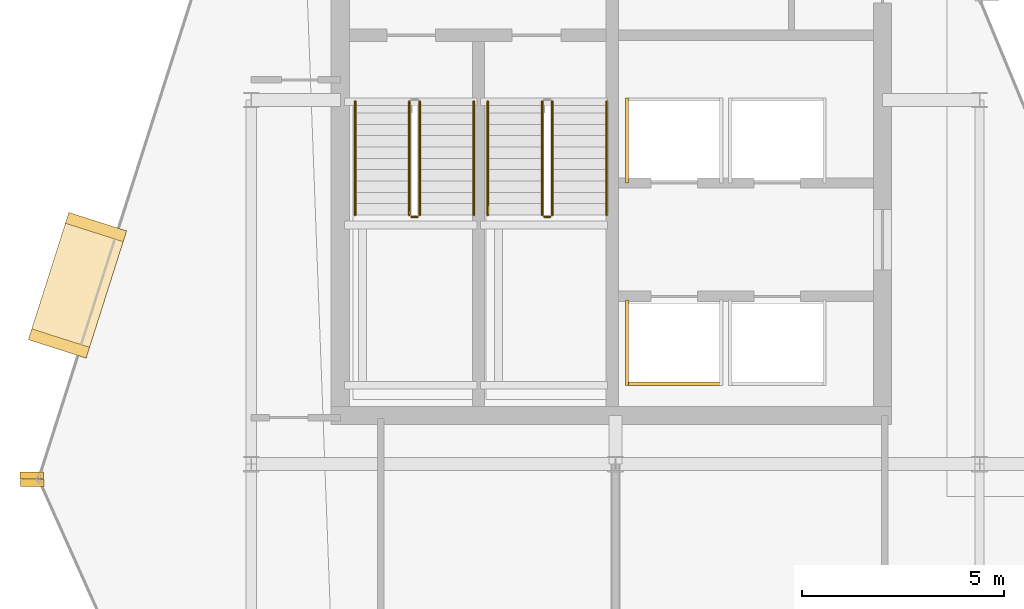
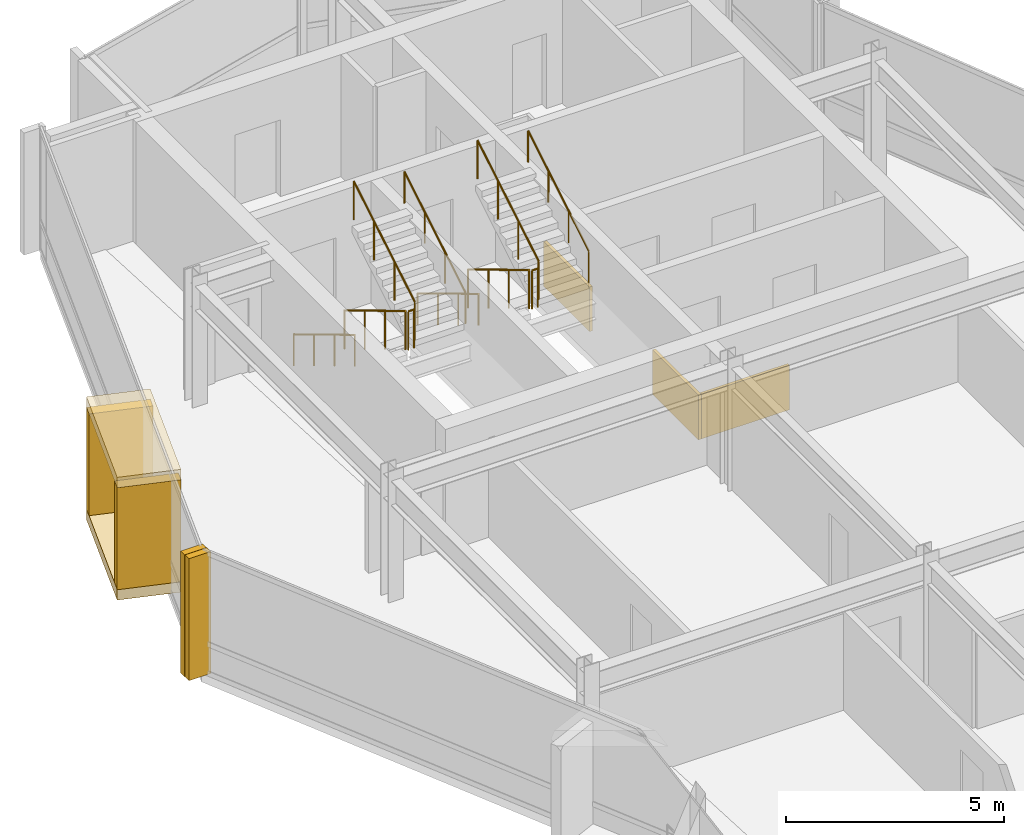
# One storey, part 17 of 19: 10 railings, 9 coverings.
"""IFC4 building model written with IfcOpenShell, lengths in metres."""

from ifc_helpers import new_model, si_unit, direction, frame, origin, origin_2d, place, context, subcontext, project, spatial, rectangle, circle, extrude, material, layer, layer_set, type_object, element, save


model = new_model("IFC4")

# Units and contexts
model_context = context("Model", 3, precision=1e-05, world=origin(), true_north=direction((0.0, 1.0)))
body_context = subcontext(model_context, "Body", "Model", "MODEL_VIEW")
ifc_project = project(units=[si_unit("LENGTHUNIT", "METRE"), si_unit("AREAUNIT", "SQUARE_METRE"), si_unit("VOLUMEUNIT", "CUBIC_METRE"), si_unit("PLANEANGLEUNIT", "RADIAN"), si_unit("MASSUNIT", "GRAM", prefix="KILO")], contexts=[model_context])

# Site, building, storey
site_placement = place(None, origin())
site = spatial("IfcSite", under=ifc_project, at=site_placement, CompositionType="ELEMENT")
building_placement = place(site_placement, origin())
building = spatial("IfcBuilding", under=site, at=building_placement, Name="Solvaryn Broadcast Tower", CompositionType="ELEMENT")
storey_placement = place(building_placement, frame((0.0, 0.0, 266.699951171875)))
storey = spatial("IfcBuildingStorey", under=building, at=storey_placement, Name="L67", CompositionType="ELEMENT", Elevation=266.699951171875)

# Coverings
ifc_material_1 = material(Name="Fire-Rated Gypsum Shaftwall Liner", Category="concrete")
ifc_layer_1 = layer(ifc_material_1, 0.080078125)
ifc_layer_set_1 = layer_set([ifc_layer_1], Name="CV-SHAFT-LINER")
covering_type_1 = type_object("IfcCoveringType", Name="CV-SHAFT-LINER", PredefinedType="CLADDING", material=ifc_layer_set_1)
covering_placement = place(storey_placement, frame((19.449951171875, 28.985107421875, 0.0), z_axis=(0.0, 0.0, 1.0), x_axis=(1.0, 0.0, 0.0)))
element("IfcCovering", 1, at=covering_placement, inside=storey, type_object=covering_type_1, Name="L67 PH1 Hoistway Shaft Liner South", PredefinedType="CLADDING", context=body_context, shape_type="SweptSolid", body=[
    extrude(rectangle(XDim=2.409912109375, YDim=0.080078125, at=origin_2d()), origin(), (0.0, 0.0, 1.0), 1.25),
])
for number, where, z_axis, x_axis, name in (
    (2, (18.284912109375, 30.0, 0.0), (0.0, 0.0, 1.0), (1.0, 0.0, 0.0), "L67 PH1 Hoistway Shaft Liner West"),
    (3, (18.284912109375, 35.0, 0.0), (0.0, 0.0, 1.0), (1.0, 0.0, 0.0), "L67 PH3 Hoistway Shaft Liner West"),
):
    element("IfcCovering", number, at=place(storey_placement, frame(where, z_axis=z_axis, x_axis=x_axis)), inside=storey, type_object=covering_type_1, Name=name, PredefinedType="CLADDING", context=body_context, shape_type="SweptSolid", body=[
        extrude(rectangle(XDim=0.080078125, YDim=2.110107421875, at=origin_2d()), origin(), (0.0, 0.0, 1.0), 1.25),
    ])
ifc_material_2 = material(Name="Glazed Architectural Terracotta Rainscreen Cladding", Category="masonry")
ifc_layer_2 = layer(ifc_material_2, 0.280029296875)
ifc_layer_set_2 = layer_set([ifc_layer_2], Name="CV-TC-CLAD")
covering_type_2 = type_object("IfcCoveringType", Name="CV-TC-CLAD", PredefinedType="CLADDING", material=ifc_layer_set_2)
for number, where, z_axis, x_axis, name in (
    (4, (4.7060546875, 31.4208984375, 3.1298828125), (0.0, 0.0, 1.0), (-0.303534206887, -0.952820541996, 0.0), "L67 Projecting Stone Window Box Hood 1"),
    (5, (4.7060546875, 31.4208984375, -0.009765625), (0.0, 0.0, 1.0), (-0.303534206887, -0.952820541996, 0.0), "L67 Projecting Stone Window Box Sill 1"),
):
    element("IfcCovering", number, at=place(storey_placement, frame(where, z_axis=z_axis, x_axis=x_axis)), inside=storey, type_object=covering_type_2, Name=name, PredefinedType="CLADDING", context=body_context, shape_type="SweptSolid", body=[
        extrude(rectangle(XDim=3.300048828125, YDim=1.5, at=origin_2d()), origin(), (0.0, 0.0, 1.0), 0.300048828125),
    ])
for number, where, z_axis, x_axis, name in (
    (6, (5.164306640625, 32.85986328125, 0.27978515625), (0.0, 0.0, 1.0), (-0.303534206887, -0.952820541996, 0.0), "L67 Projecting Stone Window Box Cheek 1-1"),
    (7, (4.247802734375, 29.982177734375, 0.27978515625), (0.0, 0.0, 1.0), (-0.303534206887, -0.952820541996, 0.0), "L67 Projecting Stone Window Box Cheek 1-2"),
):
    element("IfcCovering", number, at=place(storey_placement, frame(where, z_axis=z_axis, x_axis=x_axis)), inside=storey, type_object=covering_type_2, Name=name, PredefinedType="CLADDING", context=body_context, shape_type="SweptSolid", body=[
        extrude(rectangle(XDim=0.280029296875, YDim=1.5, at=origin_2d()), origin(), (0.0, 0.0, 1.0), 2.860107421875),
    ])
ifc_material_3 = material(Name="Extruded Architectural Terracotta Fin", Category="masonry")
ifc_layer_3 = layer(ifc_material_3, 0.179931640625)
ifc_layer_set_3 = layer_set([ifc_layer_3], Name="CV-TC-FIN")
covering_type_3 = type_object("IfcCoveringType", Name="CV-TC-FIN", PredefinedType="USERDEFINED", material=ifc_layer_set_3)
for number, where, z_axis, x_axis, name in (
    (8, (3.575439453125, 26.71923828125, 0.0), (0.0, 0.0, 1.0), (1.0, 0.0, 0.0), "L67 Terracotta Vertical Fin FIN-L67-DR1-M01"),
    (9, (3.5859375, 26.53515625, 0.0), (0.0, 0.0, 1.0), (1.0, 0.0, 0.0), "L67 Terracotta Vertical Fin FIN-L67-DR2-M00"),
):
    element("IfcCovering", number, at=place(storey_placement, frame(where, z_axis=z_axis, x_axis=x_axis)), inside=storey, type_object=covering_type_3, Name=name, ObjectType="FIN", PredefinedType="USERDEFINED", context=body_context, shape_type="SweptSolid", body=[
        extrude(rectangle(XDim=0.580078125, YDim=0.179931640625, at=origin_2d()), origin(), (0.0, 0.0, 1.0), 3.419921875),
    ])

# Railings
ifc_material_4 = material(Name="Painted Steel Stair Well Guard", Category="steel")
railing_type_1 = type_object("IfcRailingType", Name="RL-STAIR-GUARD", PredefinedType="BALUSTRADE", material=ifc_material_4)
railing_1_placement = place(storey_placement, frame((12.909912109375, 35.9599609375, 0.168212890625)))
element("IfcRailing", 10, at=railing_1_placement, inside=storey, type_object=railing_type_1, Name="L67 ST1 stair guard 1", PredefinedType="BALUSTRADE", context=body_context, shape_type="SweptSolid", body=[
    extrude(circle(Radius=0.02392578125, at=origin_2d()), frame((0.0, 0.0, 1.076171875), z_axis=(0.0, -0.857242210791, 0.514913383045), x_axis=(1.0, 0.0, 0.0)), (0.0, 0.0, 1.0), 3.266357421875),
    extrude(circle(Radius=0.02099609375, at=origin_2d()), origin(), (0.0, 0.0, 1.0), 1.052001953125),
    extrude(circle(Radius=0.02099609375, at=origin_2d()), frame((0.0, -0.933349609375, 0.560546875)), (0.0, 0.0, 1.0), 1.052001953125),
    extrude(circle(Radius=0.02099609375, at=origin_2d()), frame((0.0, -1.86669921875, 1.121337890625)), (0.0, 0.0, 1.0), 1.052001953125),
    extrude(circle(Radius=0.02099609375, at=origin_2d()), frame((0.0, -2.800048828125, 1.681884765625)), (0.0, 0.0, 1.0), 1.052001953125),
])
railing_2_placement = place(storey_placement, frame((12.9599609375, 33.110107421875, 1.85009765625)))
element("IfcRailing", 11, at=railing_2_placement, inside=storey, type_object=railing_type_1, Name="L67 ST1 stair guard 2", PredefinedType="BALUSTRADE", context=body_context, shape_type="SweptSolid", body=[
    extrude(circle(Radius=0.02392578125, at=origin_2d()), frame((0.0, 0.0, 1.076171875), z_axis=(1.0, 0.0, 0.0), x_axis=(0.0, 1.0, 0.0)), (0.0, 0.0, 1.0), 0.150146484375),
    extrude(circle(Radius=0.02099609375, at=origin_2d()), origin(), (0.0, 0.0, 1.0), 1.052001953125),
    extrude(circle(Radius=0.02099609375, at=origin_2d()), frame((0.150146484375, 0.0, 0.0)), (0.0, 0.0, 1.0), 1.052001953125),
])
railing_3_placement = place(storey_placement, frame((13.159912109375, 33.159912109375, 2.018310546875)))
element("IfcRailing", 12, at=railing_3_placement, inside=storey, type_object=railing_type_1, Name="L67 ST1 stair guard 3", PredefinedType="BALUSTRADE", context=body_context, shape_type="SweptSolid", body=[
    extrude(circle(Radius=0.02392578125, at=origin_2d()), frame((0.0, 0.0, 1.076171875), z_axis=(0.0, 0.857275202839, 0.514858452973), x_axis=(-1.0, 0.0, 0.0)), (0.0, 0.0, 1.0), 3.26611328125),
    extrude(circle(Radius=0.02099609375, at=origin_2d()), origin(), (0.0, 0.0, 1.0), 1.052001953125),
    extrude(circle(Radius=0.02099609375, at=origin_2d()), frame((0.0, 0.933349609375, 0.560546875)), (0.0, 0.0, 1.0), 1.052001953125),
    extrude(circle(Radius=0.02099609375, at=origin_2d()), frame((0.0, 1.86669921875, 1.12109375)), (0.0, 0.0, 1.0), 1.052001953125),
    extrude(circle(Radius=0.02099609375, at=origin_2d()), frame((0.0, 2.800048828125, 1.681640625)), (0.0, 0.0, 1.0), 1.052001953125),
])
railing_4_placement = place(storey_placement, frame((16.18994140625, 35.9599609375, 0.168212890625)))
element("IfcRailing", 13, at=railing_4_placement, inside=storey, type_object=railing_type_1, Name="L67 ST2 stair guard 1", PredefinedType="BALUSTRADE", context=body_context, shape_type="SweptSolid", body=[
    extrude(circle(Radius=0.02392578125, at=origin_2d()), frame((0.0, 0.0, 1.076171875), z_axis=(0.0, -0.857242210791, 0.514913383045), x_axis=(1.0, 0.0, 0.0)), (0.0, 0.0, 1.0), 3.266357421875),
    extrude(circle(Radius=0.02099609375, at=origin_2d()), origin(), (0.0, 0.0, 1.0), 1.052001953125),
    extrude(circle(Radius=0.02099609375, at=origin_2d()), frame((0.0, -0.933349609375, 0.560546875)), (0.0, 0.0, 1.0), 1.052001953125),
    extrude(circle(Radius=0.02099609375, at=origin_2d()), frame((0.0, -1.86669921875, 1.121337890625)), (0.0, 0.0, 1.0), 1.052001953125),
    extrude(circle(Radius=0.02099609375, at=origin_2d()), frame((0.0, -2.800048828125, 1.681884765625)), (0.0, 0.0, 1.0), 1.052001953125),
])
railing_5_placement = place(storey_placement, frame((16.239990234375, 33.110107421875, 1.85009765625)))
element("IfcRailing", 14, at=railing_5_placement, inside=storey, type_object=railing_type_1, Name="L67 ST2 stair guard 2", PredefinedType="BALUSTRADE", context=body_context, shape_type="SweptSolid", body=[
    extrude(circle(Radius=0.02392578125, at=origin_2d()), frame((0.0, 0.0, 1.076171875), z_axis=(1.0, 0.0, 0.0), x_axis=(0.0, 1.0, 0.0)), (0.0, 0.0, 1.0), 0.14990234375),
    extrude(circle(Radius=0.02099609375, at=origin_2d()), origin(), (0.0, 0.0, 1.0), 1.052001953125),
    extrude(circle(Radius=0.02099609375, at=origin_2d()), frame((0.14990234375, 0.0, 0.0)), (0.0, 0.0, 1.0), 1.052001953125),
])
railing_6_placement = place(storey_placement, frame((16.43994140625, 33.159912109375, 2.018310546875)))
element("IfcRailing", 15, at=railing_6_placement, inside=storey, type_object=railing_type_1, Name="L67 ST2 stair guard 3", PredefinedType="BALUSTRADE", context=body_context, shape_type="SweptSolid", body=[
    extrude(circle(Radius=0.02392578125, at=origin_2d()), frame((0.0, 0.0, 1.076171875), z_axis=(0.0, 0.857275202839, 0.514858452973), x_axis=(-1.0, 0.0, 0.0)), (0.0, 0.0, 1.0), 3.26611328125),
    extrude(circle(Radius=0.02099609375, at=origin_2d()), origin(), (0.0, 0.0, 1.0), 1.052001953125),
    extrude(circle(Radius=0.02099609375, at=origin_2d()), frame((0.0, 0.933349609375, 0.560546875)), (0.0, 0.0, 1.0), 1.052001953125),
    extrude(circle(Radius=0.02099609375, at=origin_2d()), frame((0.0, 1.86669921875, 1.12109375)), (0.0, 0.0, 1.0), 1.052001953125),
    extrude(circle(Radius=0.02099609375, at=origin_2d()), frame((0.0, 2.800048828125, 1.681640625)), (0.0, 0.0, 1.0), 1.052001953125),
])
ifc_material_5 = material(Name="Brushed Stainless Steel Tubular Handrail", Category="steel")
railing_type_2 = type_object("IfcRailingType", Name="RL-STAIR-HANDRAIL", PredefinedType="HANDRAIL", material=ifc_material_5)
railing_7_placement = place(storey_placement, frame((11.570068359375, 35.9599609375, 0.168212890625)))
element("IfcRailing", 16, at=railing_7_placement, inside=storey, type_object=railing_type_2, Name="L67 ST1 stair handrail 1", PredefinedType="HANDRAIL", context=body_context, shape_type="SweptSolid", body=[
    extrude(circle(Radius=0.02392578125, at=origin_2d()), frame((0.0, 0.0, 0.8759765625), z_axis=(0.0, -0.857242210791, 0.514913383045), x_axis=(1.0, 0.0, 0.0)), (0.0, 0.0, 1.0), 3.266357421875),
    extrude(circle(Radius=0.02099609375, at=origin_2d()), origin(), (0.0, 0.0, 1.0), 0.851806640625),
    extrude(circle(Radius=0.02099609375, at=origin_2d()), frame((0.0, -0.933349609375, 0.560546875)), (0.0, 0.0, 1.0), 0.851806640625),
    extrude(circle(Radius=0.02099609375, at=origin_2d()), frame((0.0, -1.86669921875, 1.121337890625)), (0.0, 0.0, 1.0), 0.851806640625),
    extrude(circle(Radius=0.02099609375, at=origin_2d()), frame((0.0, -2.800048828125, 1.681884765625)), (0.0, 0.0, 1.0), 0.851806640625),
])
railing_8_placement = place(storey_placement, frame((14.5, 33.159912109375, 2.018310546875)))
element("IfcRailing", 17, at=railing_8_placement, inside=storey, type_object=railing_type_2, Name="L67 ST1 stair handrail 2", PredefinedType="HANDRAIL", context=body_context, shape_type="SweptSolid", body=[
    extrude(circle(Radius=0.02392578125, at=origin_2d()), frame((0.0, 0.0, 0.8759765625), z_axis=(0.0, 0.857275202839, 0.514858452973), x_axis=(-1.0, 0.0, 0.0)), (0.0, 0.0, 1.0), 3.26611328125),
    extrude(circle(Radius=0.02099609375, at=origin_2d()), origin(), (0.0, 0.0, 1.0), 0.851806640625),
    extrude(circle(Radius=0.02099609375, at=origin_2d()), frame((0.0, 0.933349609375, 0.560546875)), (0.0, 0.0, 1.0), 0.851806640625),
    extrude(circle(Radius=0.02099609375, at=origin_2d()), frame((0.0, 1.86669921875, 1.12109375)), (0.0, 0.0, 1.0), 0.851806640625),
    extrude(circle(Radius=0.02099609375, at=origin_2d()), frame((0.0, 2.800048828125, 1.681640625)), (0.0, 0.0, 1.0), 0.851806640625),
])
railing_9_placement = place(storey_placement, frame((14.85009765625, 35.9599609375, 0.168212890625)))
element("IfcRailing", 18, at=railing_9_placement, inside=storey, type_object=railing_type_2, Name="L67 ST2 stair handrail 1", PredefinedType="HANDRAIL", context=body_context, shape_type="SweptSolid", body=[
    extrude(circle(Radius=0.02392578125, at=origin_2d()), frame((0.0, 0.0, 0.8759765625), z_axis=(0.0, -0.857242210791, 0.514913383045), x_axis=(1.0, 0.0, 0.0)), (0.0, 0.0, 1.0), 3.266357421875),
    extrude(circle(Radius=0.02099609375, at=origin_2d()), origin(), (0.0, 0.0, 1.0), 0.851806640625),
    extrude(circle(Radius=0.02099609375, at=origin_2d()), frame((0.0, -0.933349609375, 0.560546875)), (0.0, 0.0, 1.0), 0.851806640625),
    extrude(circle(Radius=0.02099609375, at=origin_2d()), frame((0.0, -1.86669921875, 1.121337890625)), (0.0, 0.0, 1.0), 0.851806640625),
    extrude(circle(Radius=0.02099609375, at=origin_2d()), frame((0.0, -2.800048828125, 1.681884765625)), (0.0, 0.0, 1.0), 0.851806640625),
])
railing_10_placement = place(storey_placement, frame((17.780029296875, 33.159912109375, 2.018310546875)))
element("IfcRailing", 19, at=railing_10_placement, inside=storey, type_object=railing_type_2, Name="L67 ST2 stair handrail 2", PredefinedType="HANDRAIL", context=body_context, shape_type="SweptSolid", body=[
    extrude(circle(Radius=0.02392578125, at=origin_2d()), frame((0.0, 0.0, 0.8759765625), z_axis=(0.0, 0.857275202839, 0.514858452973), x_axis=(-1.0, 0.0, 0.0)), (0.0, 0.0, 1.0), 3.26611328125),
    extrude(circle(Radius=0.02099609375, at=origin_2d()), origin(), (0.0, 0.0, 1.0), 0.851806640625),
    extrude(circle(Radius=0.02099609375, at=origin_2d()), frame((0.0, 0.933349609375, 0.560546875)), (0.0, 0.0, 1.0), 0.851806640625),
    extrude(circle(Radius=0.02099609375, at=origin_2d()), frame((0.0, 1.86669921875, 1.12109375)), (0.0, 0.0, 1.0), 0.851806640625),
    extrude(circle(Radius=0.02099609375, at=origin_2d()), frame((0.0, 2.800048828125, 1.681640625)), (0.0, 0.0, 1.0), 0.851806640625),
])

save(model, "model.ifc")
